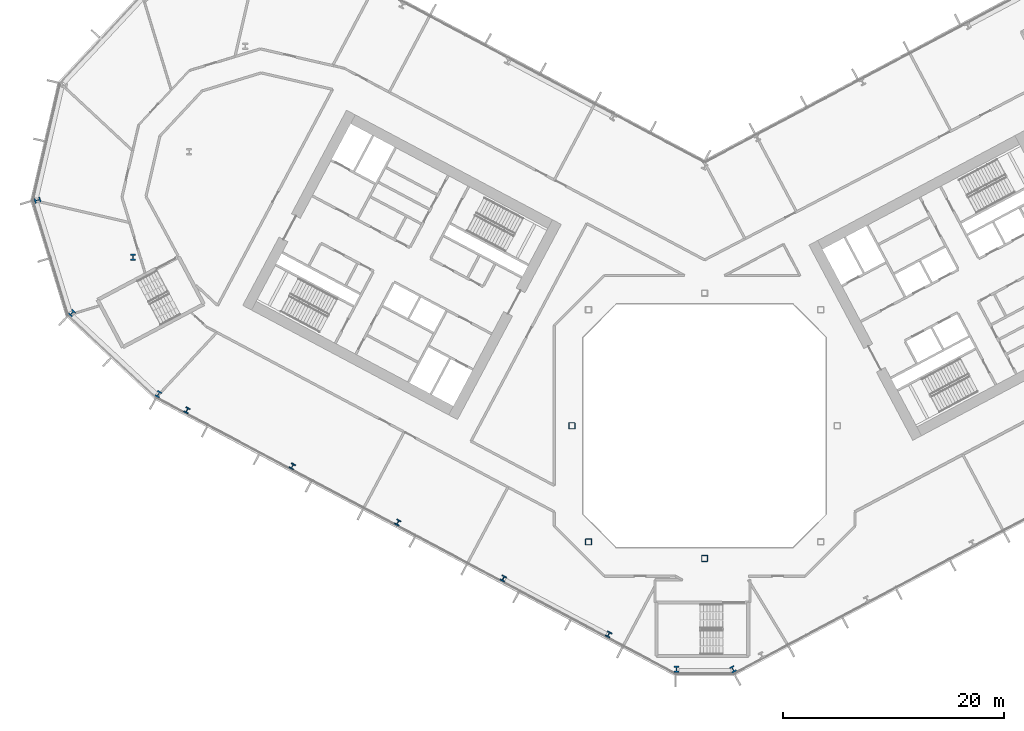
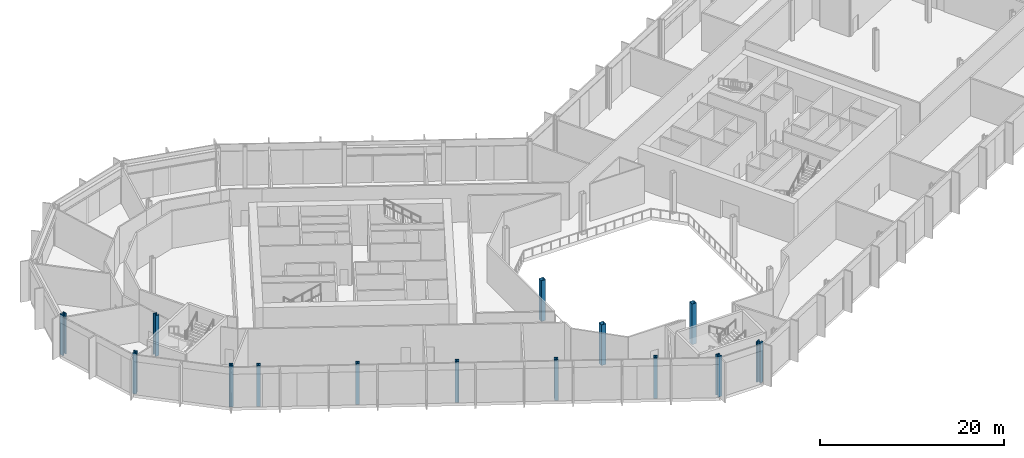
# One storey, part 1 of 31: 14 columns.
"""IFC4 building model written with IfcOpenShell, lengths in metres."""

from ifc_helpers import new_model, si_unit, direction, frame, origin, origin_2d, place, context, subcontext, project, spatial, hollow_rectangle, i_section, extrude, material, material_profile, profile_set, type_object, element, save


model = new_model("IFC4")

# Units and contexts
model_context = context("Model", 3, precision=1e-05, world=origin(), true_north=direction((0.0, 1.0)))
body_context = subcontext(model_context, "Body", "Model", "MODEL_VIEW")
ifc_project = project(units=[si_unit("LENGTHUNIT", "METRE"), si_unit("AREAUNIT", "SQUARE_METRE"), si_unit("VOLUMEUNIT", "CUBIC_METRE"), si_unit("PLANEANGLEUNIT", "RADIAN"), si_unit("MASSUNIT", "GRAM", prefix="KILO")], contexts=[model_context])

# Site, building, storey
site_placement = place(None, origin())
site = spatial("IfcSite", under=ifc_project, at=site_placement, CompositionType="ELEMENT")
building_placement = place(site_placement, origin())
building = spatial("IfcBuilding", under=site, at=building_placement, Name="Cormorant Relay Tower", CompositionType="ELEMENT")
storey_placement = place(building_placement, frame((0.0, 0.0, 23.0)))
storey = spatial("IfcBuildingStorey", under=building, at=storey_placement, Name="L04", CompositionType="ELEMENT", Elevation=23.0)

# Columns
ifc_material_1 = material(Name="Steel ASTM A1085 Grade A (Fy 345 MPa)", Category="steel")
ifc_material_profile_1 = material_profile(ifc_material_1, hollow_rectangle(XDim=0.558837890625, YDim=0.558837890625, WallThickness=0.023681640625, InnerFilletRadius=0.01171875, OuterFilletRadius=0.035400390625, at=origin_2d()), Name="HSS559x559x24")
ifc_profile_set_1 = profile_set([ifc_material_profile_1], Name="Steel ASTM A1085 Grade A (Fy 345 MPa)")
column_type_1 = type_object("IfcColumnType", Name="Column HSS559x559x24", PredefinedType="COLUMN", material=ifc_profile_set_1)
for number, where, z_axis, x_axis, name in (
    (1, (0.0, -12.0, 0.0), (0.0, 0.0, 1.0), (1.0, 0.0, 0.0), "Column L04-007"),
    (2, (-10.5, -10.5, 0.0), (0.0, 0.0, 1.0), (1.0, 0.0, 0.0), "Column L04-009"),
    (3, (-12.0, 0.0, 0.0), (0.0, 0.0, 1.0), (1.0, 0.0, 0.0), "Column L04-015"),
):
    element("IfcColumn", number, at=place(storey_placement, frame(where, z_axis=z_axis, x_axis=x_axis)), inside=storey, type_object=column_type_1, Name=name, PredefinedType="COLUMN", context=body_context, shape_type="SweptSolid", body=[
        extrude(hollow_rectangle(XDim=0.558837890625, YDim=0.558837890625, WallThickness=0.023681640625, InnerFilletRadius=0.01171875, OuterFilletRadius=0.035400390625, at=origin_2d()), origin(), (0.0, 0.0, 1.0), 5.39990234375),
    ])
ifc_material_2 = material(Name="Steel ASTM A992 (Fy 345 MPa)", Category="steel")
ifc_material_profile_2 = material_profile(ifc_material_2, i_section(OverallWidth=0.45458984375, OverallDepth=0.569091796875, WebThickness=0.077880859375, FlangeThickness=0.124755859375, FilletRadius=0.015380859375, at=origin_2d()), Name="W360x1086")
ifc_profile_set_2 = profile_set([ifc_material_profile_2], Name="Steel ASTM A992 (Fy 345 MPa)")
column_type_2 = type_object("IfcColumnType", Name="Column W360x1086", PredefinedType="COLUMN", material=ifc_profile_set_2)
for number, where, z_axis, x_axis, name in (
    (4, (-2.55908203125, -22.01708984375, 0.0), (0.0, 0.0, 1.0), (1.0, 0.0, 0.0), "Column L04-001"),
    (5, (2.55908203125, -22.01708984375, 0.0), (0.0, 0.0, 1.0), (0.882947592859, 0.469471562786, 0.0), "Column L04-002"),
    (6, (-49.39404296875, 2.861083984375, 0.0), (0.0, 0.0, 1.0), (0.882947592859, -0.469471562786, 0.0), "Column L04-018"),
    (7, (-57.218994140625, 10.198974609375, 0.0), (0.0, 0.0, 1.0), (0.731353701619, -0.681998360062, 0.0), "Column L04-021"),
    (8, (-51.68994140625, 15.251953125, 0.0), (0.0, 0.0, 1.0), (1.0, 0.0, 0.0), "Column L04-027"),
    (9, (-60.340087890625, 20.406982421875, 0.0), (0.0, 0.0, 1.0), (0.292371704723, -0.956304755963, 0.0), "Column L04-030"),
):
    element("IfcColumn", number, at=place(storey_placement, frame(where, z_axis=z_axis, x_axis=x_axis)), inside=storey, type_object=column_type_2, Name=name, PredefinedType="COLUMN", context=body_context, shape_type="SweptSolid", body=[
        extrude(i_section(OverallWidth=0.45458984375, OverallDepth=0.569091796875, WebThickness=0.077880859375, FlangeThickness=0.124755859375, FilletRadius=0.015380859375, at=origin_2d()), origin(), (0.0, 0.0, 1.0), 5.39990234375),
    ])
ifc_material_3 = material(Name="Steel ASTM A992 (Fy 345 MPa)", Category="steel")
ifc_material_profile_3 = material_profile(ifc_material_3, i_section(OverallWidth=0.43701171875, OverallDepth=0.51318359375, WebThickness=0.060546875, FlangeThickness=0.096923828125, FilletRadius=0.015380859375, at=origin_2d()), Name="W360x818")
ifc_profile_set_3 = profile_set([ifc_material_profile_3], Name="Steel ASTM A992 (Fy 345 MPa)")
column_type_3 = type_object("IfcColumnType", Name="Column W360x818", PredefinedType="COLUMN", material=ifc_profile_set_3)
for number, where, z_axis, x_axis, name in (
    (10, (-8.677001953125, -18.8759765625, 0.0), (0.0, 0.0, 1.0), (0.882947592859, -0.469471562786, 0.0), "Column L04-004"),
    (11, (-18.212890625, -13.804931640625, 0.0), (0.0, 0.0, 1.0), (0.882947592859, -0.469471562786, 0.0), "Column L04-006"),
    (12, (-27.7490234375, -8.735107421875, 0.0), (0.0, 0.0, 1.0), (0.882947592859, -0.469471562786, 0.0), "Column L04-011"),
    (13, (-37.284912109375, -3.6650390625, 0.0), (0.0, 0.0, 1.0), (0.882947592859, -0.469471562786, 0.0), "Column L04-013"),
    (14, (-46.821044921875, 1.405029296875, 0.0), (0.0, 0.0, 1.0), (0.882947592859, -0.469471562786, 0.0), "Column L04-017"),
):
    element("IfcColumn", number, at=place(storey_placement, frame(where, z_axis=z_axis, x_axis=x_axis)), inside=storey, type_object=column_type_3, Name=name, PredefinedType="COLUMN", context=body_context, shape_type="SweptSolid", body=[
        extrude(i_section(OverallWidth=0.43701171875, OverallDepth=0.51318359375, WebThickness=0.060546875, FlangeThickness=0.096923828125, FilletRadius=0.015380859375, at=origin_2d()), origin(), (0.0, 0.0, 1.0), 5.39990234375),
    ])

save(model, "model.ifc")
